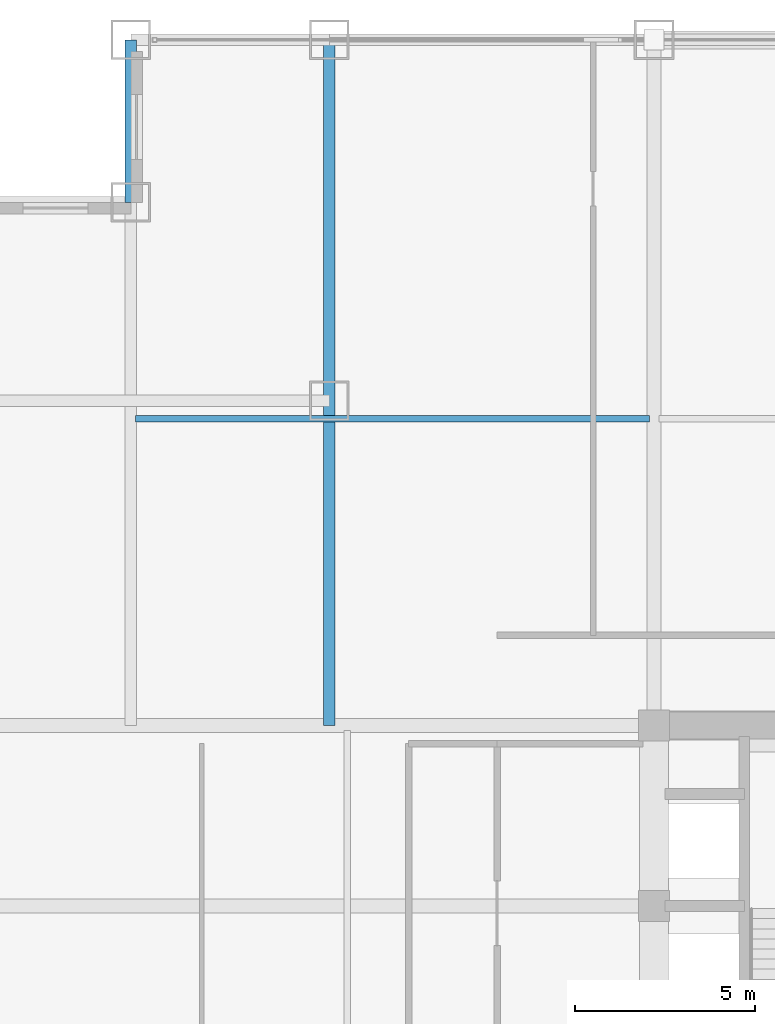
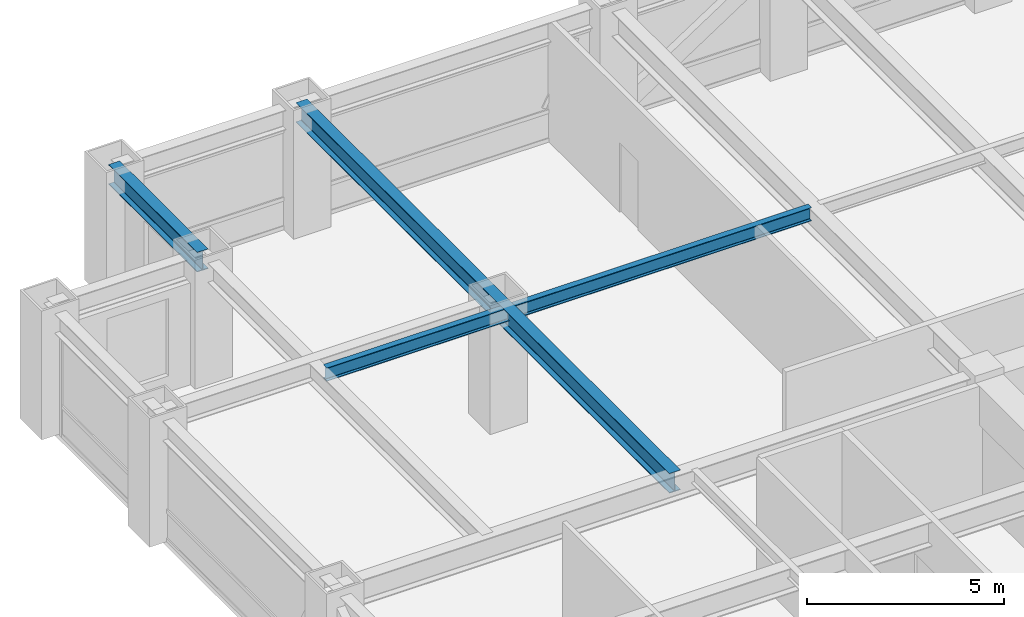
# One storey, part 13 of 24: 3 beams.
"""IFC4 building model written with IfcOpenShell, lengths in metres."""

from ifc_helpers import new_model, si_unit, direction, frame, origin, origin_2d, place, context, subcontext, project, spatial, i_section, extrude, source, transform, mapped, material, material_profile, profile_set, type_object, element, save


model = new_model("IFC4")

# Units and contexts
model_context = context("Model", 3, precision=1e-05, world=origin(), true_north=direction((0.0, 1.0)))
body_context = subcontext(model_context, "Body", "Model", "MODEL_VIEW")
ifc_project = project(units=[si_unit("LENGTHUNIT", "METRE"), si_unit("AREAUNIT", "SQUARE_METRE"), si_unit("VOLUMEUNIT", "CUBIC_METRE"), si_unit("PLANEANGLEUNIT", "RADIAN"), si_unit("MASSUNIT", "GRAM", prefix="KILO")], contexts=[model_context])

# Site, building, storey
site_placement = place(None, origin())
site = spatial("IfcSite", under=ifc_project, at=site_placement, CompositionType="ELEMENT")
building_placement = place(site_placement, origin())
building = spatial("IfcBuilding", under=site, at=building_placement, Name="Khorayat Bourse Tower", CompositionType="ELEMENT")
storey_placement = place(building_placement, frame((0.0, 0.0, 179.10009765625)))
storey = spatial("IfcBuildingStorey", under=building, at=storey_placement, Name="L41", CompositionType="ELEMENT", Elevation=179.10009765625)

# Beams
ifc_material = material(Name="Steel ASTM A992 Grade 50", Category="steel")
ifc_material_profile_1 = material_profile(ifc_material, i_section(OverallWidth=0.324951171875, OverallDepth=0.615966796875, WebThickness=0.013916015625, FlangeThickness=0.021484375, FilletRadius=0.01611328125, at=origin_2d()), Name="W610X174")
ifc_profile_set_1 = profile_set([ifc_material_profile_1], Name="Steel ASTM A992 Grade 50")
beam_type_1 = type_object("IfcBeamType", Name="BM-GIRD-610", PredefinedType="BEAM", material=ifc_profile_set_1)
shared_shape_1 = source(origin(), body_context, "Body", "SweptSolid", [
    extrude(i_section(OverallWidth=0.324951171875, OverallDepth=0.615966796875, WebThickness=0.013916015625, FlangeThickness=0.021484375, FilletRadius=0.01611328125, at=origin_2d()), origin(), (0.0, 0.0, 1.0), 19.0),
])
beam_1_placement = place(storey_placement, frame((-20.0, 11.0, 3.471923828125), z_axis=(0.0, 1.0, 0.0), x_axis=(-1.0, 0.0, 0.0)))
element("IfcBeam", 1, at=beam_1_placement, inside=storey, type_object=beam_type_1, Name="L41 BM-GIRD-610 BM-L41-CNRY-085", PredefinedType="BEAM", context=body_context, shape_type="MappedRepresentation", body=[
    mapped(shared_shape_1, transform((0.0, 0.0, 0.0), scale=1.0)),
])
ifc_material_profile_2 = material_profile(ifc_material, i_section(OverallWidth=0.180908203125, OverallDepth=0.4169921875, WebThickness=0.010986328125, FlangeThickness=0.018310546875, FilletRadius=0.011962890625, at=origin_2d()), Name="W410X85")
ifc_profile_set_2 = profile_set([ifc_material_profile_2], Name="Steel ASTM A992 Grade 50")
beam_type_2 = type_object("IfcBeamType", Name="BM-JOIST-410", PredefinedType="JOIST", material=ifc_profile_set_2)
shared_shape_2 = source(origin(), body_context, "Body", "SweptSolid", [
    extrude(i_section(OverallWidth=0.180908203125, OverallDepth=0.4169921875, WebThickness=0.010986328125, FlangeThickness=0.018310546875, FilletRadius=0.011962890625, at=origin_2d()), origin(), (0.0, 0.0, 1.0), 14.240234375),
])
beam_2_placement = place(storey_placement, frame((-25.3701171875, 19.5, 3.5712890625), z_axis=(1.0, 0.0, 0.0), x_axis=(0.0, 1.0, 0.0)))
element("IfcBeam", 2, at=beam_2_placement, inside=storey, type_object=beam_type_2, Name="L41 BM-JOIST-410 BM-L41-JSTX-099", PredefinedType="JOIST", context=body_context, shape_type="MappedRepresentation", body=[
    mapped(shared_shape_2, transform((0.0, 0.0, 0.0), scale=1.0)),
])
ifc_material_profile_3 = material_profile(ifc_material, i_section(OverallWidth=0.324951171875, OverallDepth=0.615966796875, WebThickness=0.013916015625, FlangeThickness=0.021484375, FilletRadius=0.01611328125, at=origin_2d()), Name="W610X174")
ifc_profile_set_3 = profile_set([ifc_material_profile_3], Name="Steel ASTM A992 Grade 50")
beam_type_3 = type_object("IfcBeamType", Name="BM-SPAN-610", PredefinedType="SPANDREL", material=ifc_profile_set_3)
shared_shape_3 = source(origin(), body_context, "Body", "SweptSolid", [
    extrude(i_section(OverallWidth=0.324951171875, OverallDepth=0.615966796875, WebThickness=0.013916015625, FlangeThickness=0.021484375, FilletRadius=0.01611328125, at=origin_2d()), origin(), (0.0, 0.0, 1.0), 4.5),
])
beam_3_placement = place(storey_placement, frame((-25.5, 25.5, 3.471923828125), z_axis=(0.0, 1.0, 0.0), x_axis=(-1.0, 0.0, 0.0)))
element("IfcBeam", 3, at=beam_3_placement, inside=storey, type_object=beam_type_3, Name="L41 BM-SPAN-610 BM-L41-SPN-052", PredefinedType="SPANDREL", context=body_context, shape_type="MappedRepresentation", body=[
    mapped(shared_shape_3, transform((0.0, 0.0, 0.0), scale=1.0)),
])

save(model, "model.ifc")
